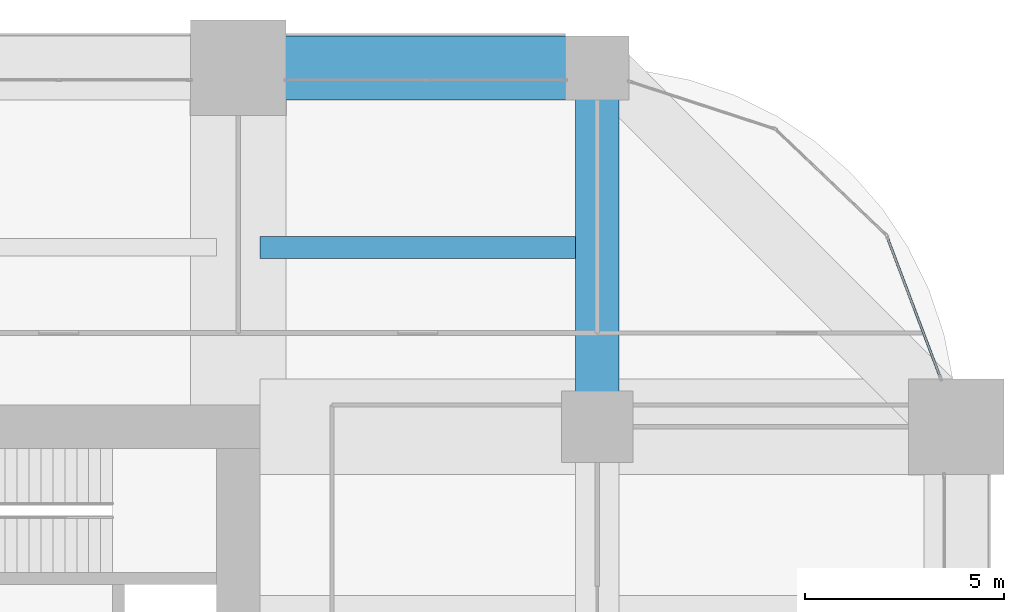
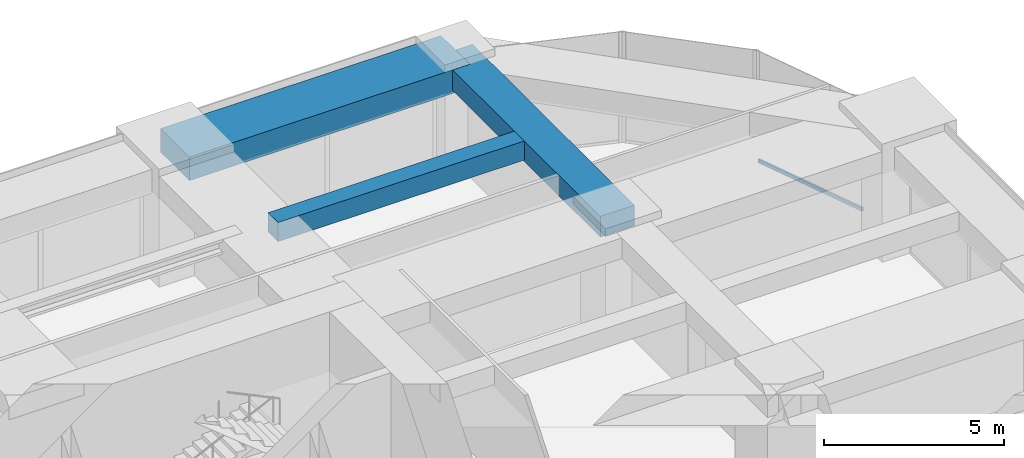
# One storey, part 34 of 43: 3 beams, 1 member, 1 element without a shape of its own.
"""IFC4 building model written with IfcOpenShell, lengths in metres."""

from ifc_helpers import new_model, si_unit, direction, frame, origin, origin_2d, place, context, subcontext, project, spatial, rectangle, hollow_rectangle, extrude, material, material_profile, profile_set, type_object, element, aggregate, save


model = new_model("IFC4")

# Units and contexts
model_context = context("Model", 3, precision=1e-05, world=origin(), true_north=direction((0.0, 1.0)))
body_context = subcontext(model_context, "Body", "Model", "MODEL_VIEW")
ifc_project = project(units=[si_unit("LENGTHUNIT", "METRE"), si_unit("AREAUNIT", "SQUARE_METRE"), si_unit("VOLUMEUNIT", "CUBIC_METRE"), si_unit("PLANEANGLEUNIT", "RADIAN"), si_unit("MASSUNIT", "GRAM", prefix="KILO")], contexts=[model_context])

# Site, building, storey
site_placement = place(None, origin())
site = spatial("IfcSite", under=ifc_project, at=site_placement, CompositionType="ELEMENT")
building_placement = place(site_placement, origin())
building = spatial("IfcBuilding", under=site, at=building_placement, Name="Zorevar Civic Tower", CompositionType="ELEMENT")
storey_placement = place(building_placement, frame((0.0, 0.0, 141.0)))
storey = spatial("IfcBuildingStorey", under=building, at=storey_placement, Name="L34", CompositionType="ELEMENT", Elevation=141.0)

# Beams
ifc_material_1 = material(Name="Concrete C50/60", Category="concrete")
ifc_material_profile_1 = material_profile(ifc_material_1, rectangle(XDim=1.10009765625, YDim=0.699951171875, at=origin_2d()), Name="RC 1100x700")
ifc_profile_set_1 = profile_set([ifc_material_profile_1], Name="Concrete C50/60")
beam_type_1 = type_object("IfcBeamType", Name="Beam RC 1100x700", PredefinedType="BEAM", material=ifc_profile_set_1)
beam_1_placement = place(storey_placement, frame((54.0, 36.0, 3.39990234375), z_axis=(0.0, 1.0, 0.0), x_axis=(-1.0, 0.0, 0.0)))
element("IfcBeam", 1, at=beam_1_placement, inside=storey, type_object=beam_type_1, Name="Girder L35", PredefinedType="BEAM", context=body_context, shape_type="SweptSolid", body=[
    extrude(rectangle(XDim=1.10009765625, YDim=0.699951171875, at=origin_2d()), origin(), (0.0, 0.0, 1.0), 9.0),
])
ifc_material_2 = material(Name="Concrete C50/60", Category="concrete")
ifc_material_profile_2 = material_profile(ifc_material_2, rectangle(XDim=0.550048828125, YDim=0.64990234375, at=origin_2d()), Name="RC 550x650")
ifc_profile_set_2 = profile_set([ifc_material_profile_2], Name="Concrete C50/60")
beam_type_2 = type_object("IfcBeamType", Name="Beam RC 550x650", PredefinedType="BEAM", material=ifc_profile_set_2)
beam_2_placement = place(storey_placement, frame((45.550048828125, 40.5, 3.425048828125), z_axis=(1.0, 0.0, 0.0), x_axis=(0.0, 1.0, 0.0)))
element("IfcBeam", 2, at=beam_2_placement, inside=storey, type_object=beam_type_2, Name="Secondary beam L35", PredefinedType="BEAM", context=body_context, shape_type="SweptSolid", body=[
    extrude(rectangle(XDim=0.550048828125, YDim=0.64990234375, at=origin_2d()), origin(), (0.0, 0.0, 1.0), 7.89990234375),
])

# Curtain wall, member
ifc_material_3 = material(Name="Dark grey solar-control glass in black aluminium frame", Category="aluminium")
curtain_wall_type = type_object("IfcCurtainWallType", Name="Curtain wall CW3 mid zone", PredefinedType="NOTDEFINED", material=ifc_material_3)
curtain_wall_placement = place(storey_placement, origin())
curtain_wall = element("IfcCurtainWall", 3, at=curtain_wall_placement, inside=storey, type_object=curtain_wall_type, Name="CW3 L34", PredefinedType="NOTDEFINED")
ifc_material_4 = material(Name="Aluminium, black anodised", Category="aluminium")
ifc_material_profile_3 = material_profile(ifc_material_4, hollow_rectangle(XDim=0.06005859375, YDim=0.1201171875, WallThickness=0.0029296875, at=origin_2d()), Name="AL 120x60x3")
ifc_profile_set_3 = profile_set([ifc_material_profile_3], Name="Aluminium, black anodised")
member_type = type_object("IfcMemberType", Name="CW3 transom AL 120x60x3", PredefinedType="USERDEFINED", material=ifc_profile_set_3)
member_placement = place(storey_placement, frame((62.595458984375, 37.256103515625, 0.030029296875), z_axis=(-0.353923007857, 0.93527456103, 0.0), x_axis=(-0.93527456103, -0.353923007857, 0.0)))
member = element("IfcMember", 4, at=member_placement, type_object=member_type, Name="CW3 sill transom", ObjectType="TRANSOM", PredefinedType="USERDEFINED", context=body_context, shape_type="SweptSolid", body=[
    extrude(hollow_rectangle(XDim=0.06005859375, YDim=0.1201171875, WallThickness=0.0029296875, at=origin_2d()), origin(), (0.0, 0.0, 1.0), 3.734619140625),
])
aggregate(curtain_wall, [member])

# Beam
ifc_material_5 = material(Name="Concrete C50/60", Category="concrete")
ifc_material_profile_4 = material_profile(ifc_material_5, rectangle(XDim=1.60009765625, YDim=0.800048828125, at=origin_2d()), Name="RC 1600x800")
ifc_profile_set_4 = profile_set([ifc_material_profile_4], Name="Concrete C50/60")
beam_type_3 = type_object("IfcBeamType", Name="Edge beam RC 1600x800", PredefinedType="SPANDREL", material=ifc_profile_set_4)
beam_3_placement = place(storey_placement, frame((45.0, 45.0, 3.35009765625), z_axis=(1.0, 0.0, 0.0), x_axis=(0.0, 1.0, 0.0)))
element("IfcBeam", 5, at=beam_3_placement, inside=storey, type_object=beam_type_3, Name="Edge beam L35", PredefinedType="SPANDREL", context=body_context, shape_type="SweptSolid", body=[
    extrude(rectangle(XDim=1.60009765625, YDim=0.800048828125, at=origin_2d()), origin(), (0.0, 0.0, 1.0), 9.0),
])

save(model, "model.ifc")
